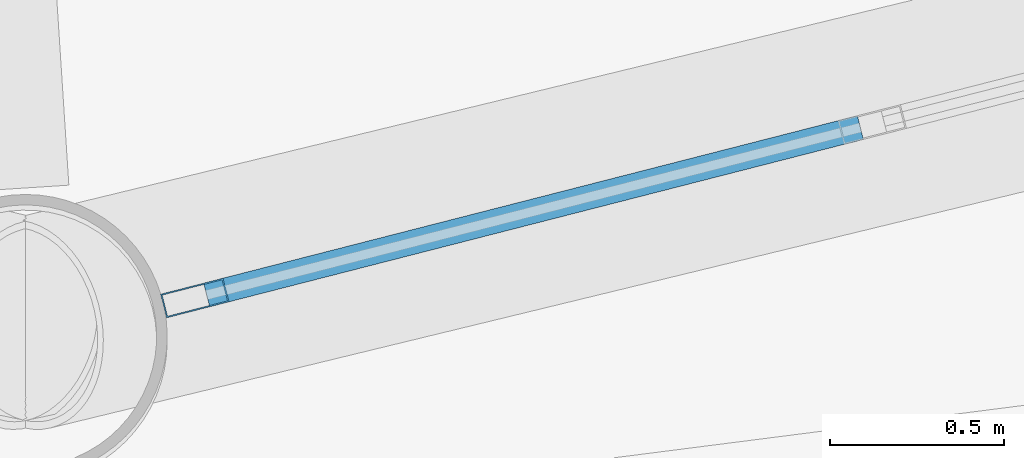
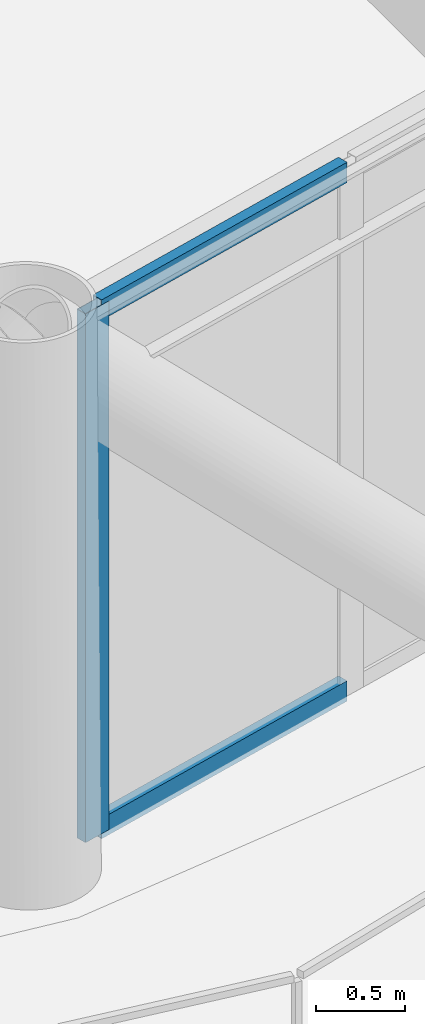
# One storey, part 5 of 26: 3 members, 1 element without a shape of its own.
"""IFC4 building model written with IfcOpenShell, lengths in metres."""

from ifc_helpers import new_model, si_unit, direction, frame, origin, origin_2d, place, context, subcontext, project, spatial, hollow_rectangle, extrude, material, layer, layer_set, material_profile, profile_set, type_object, element, aggregate, save


model = new_model("IFC4")

# Units and contexts
model_context = context("Model", 3, precision=1e-05, world=origin(), true_north=direction((0.0, 1.0)))
body_context = subcontext(model_context, "Body", "Model", "MODEL_VIEW")
ifc_project = project(units=[si_unit("LENGTHUNIT", "METRE"), si_unit("AREAUNIT", "SQUARE_METRE"), si_unit("VOLUMEUNIT", "CUBIC_METRE"), si_unit("PLANEANGLEUNIT", "RADIAN"), si_unit("MASSUNIT", "GRAM", prefix="KILO")], contexts=[model_context])

# Site, building, storey
site_placement = place(None, origin())
site = spatial("IfcSite", under=ifc_project, at=site_placement, CompositionType="ELEMENT")
building_placement = place(site_placement, origin())
building = spatial("IfcBuilding", under=site, at=building_placement, Name="Varnakorn Sky Granary", CompositionType="ELEMENT")
storey_placement = place(building_placement, frame((0.0, 0.0, 95.39990234375)))
storey = spatial("IfcBuildingStorey", under=building, at=storey_placement, Name="L23", CompositionType="ELEMENT", Elevation=95.39990234375)

# Curtain wall, members
ifc_material = material(Name="Anodised Bronze Aluminium Alloy 6063-T6", Category="aluminium")
ifc_layer = layer(ifc_material, 0.18994140625, Name="Anodised Bronze Aluminium Alloy 6063-T6")
ifc_layer_set = layer_set([ifc_layer], Name="Anodised Bronze Aluminium Alloy 6063-T6")
curtain_wall_type = type_object("IfcCurtainWallType", Name="CW-FRM-1", PredefinedType="USERDEFINED", material=ifc_layer_set)
curtain_wall_placement = place(storey_placement, origin())
curtain_wall = element("IfcCurtainWall", 1, at=curtain_wall_placement, inside=storey, type_object=curtain_wall_type, Name="Unitised Curtain Wall CW3 CW-L23-B10", ObjectType="CURTAIN WALL", PredefinedType="USERDEFINED")
ifc_material_profile_1 = material_profile(ifc_material, hollow_rectangle(XDim=0.070068359375, YDim=0.18505859375, WallThickness=0.00390625, at=origin_2d()), Name="ALU MULL 70x185")
ifc_profile_set_1 = profile_set([ifc_material_profile_1], Name="Anodised Bronze Aluminium Alloy 6063-T6")
member_type_1 = type_object("IfcMemberType", Name="CW-FRM-1-MULL", PredefinedType="MULLION", material=ifc_profile_set_1)
member_1_placement = place(storey_placement, frame((-1.01416015625, -19.630615234375, 0.0), z_axis=(0.0, 0.0, 1.0), x_axis=(0.248101423339, -0.968734062443, 0.0)))
member_1 = element("IfcMember", 2, at=member_1_placement, type_object=member_type_1, Name="CW3 mullion 6", PredefinedType="MULLION", context=body_context, shape_type="SweptSolid", body=[
    extrude(hollow_rectangle(XDim=0.070068359375, YDim=0.18505859375, WallThickness=0.00390625, at=origin_2d()), origin(), (0.0, 0.0, 1.0), 3.64013671875),
])
ifc_material_profile_2 = material_profile(ifc_material, hollow_rectangle(XDim=0.070068359375, YDim=0.139892578125, WallThickness=0.00341796875, at=origin_2d()), Name="ALU TRAN 70x140")
ifc_profile_set_2 = profile_set([ifc_material_profile_2], Name="Anodised Bronze Aluminium Alloy 6063-T6")
member_type_2 = type_object("IfcMemberType", Name="CW-FRM-1-TRAN", PredefinedType="USERDEFINED", material=ifc_profile_set_2)
member_2_placement = place(storey_placement, frame((0.8955078125, -19.1416015625, 0.03515625), z_axis=(-0.96875481034, -0.248020397233, 0.0), x_axis=(0.248020397233, -0.96875481034, 0.0)))
member_2 = element("IfcMember", 3, at=member_2_placement, type_object=member_type_2, Name="CW3 transom 5.1", ObjectType="TRANSOM", PredefinedType="USERDEFINED", context=body_context, shape_type="SweptSolid", body=[
    extrude(hollow_rectangle(XDim=0.070068359375, YDim=0.139892578125, WallThickness=0.00341796875, at=origin_2d()), origin(), (0.0, 0.0, 1.0), 1.936279296875),
])
member_3_placement = place(storey_placement, frame((0.8955078125, -19.1416015625, 3.60498046875), z_axis=(-0.96875481034, -0.248020397233, 0.0), x_axis=(0.248020397233, -0.96875481034, 0.0)))
member_3 = element("IfcMember", 4, at=member_3_placement, type_object=member_type_2, Name="CW3 transom 5.2", ObjectType="TRANSOM", PredefinedType="USERDEFINED", context=body_context, shape_type="SweptSolid", body=[
    extrude(hollow_rectangle(XDim=0.070068359375, YDim=0.139892578125, WallThickness=0.00341796875, at=origin_2d()), origin(), (0.0, 0.0, 1.0), 1.936279296875),
])
aggregate(curtain_wall, [member_1, member_2, member_3])

save(model, "model.ifc")
